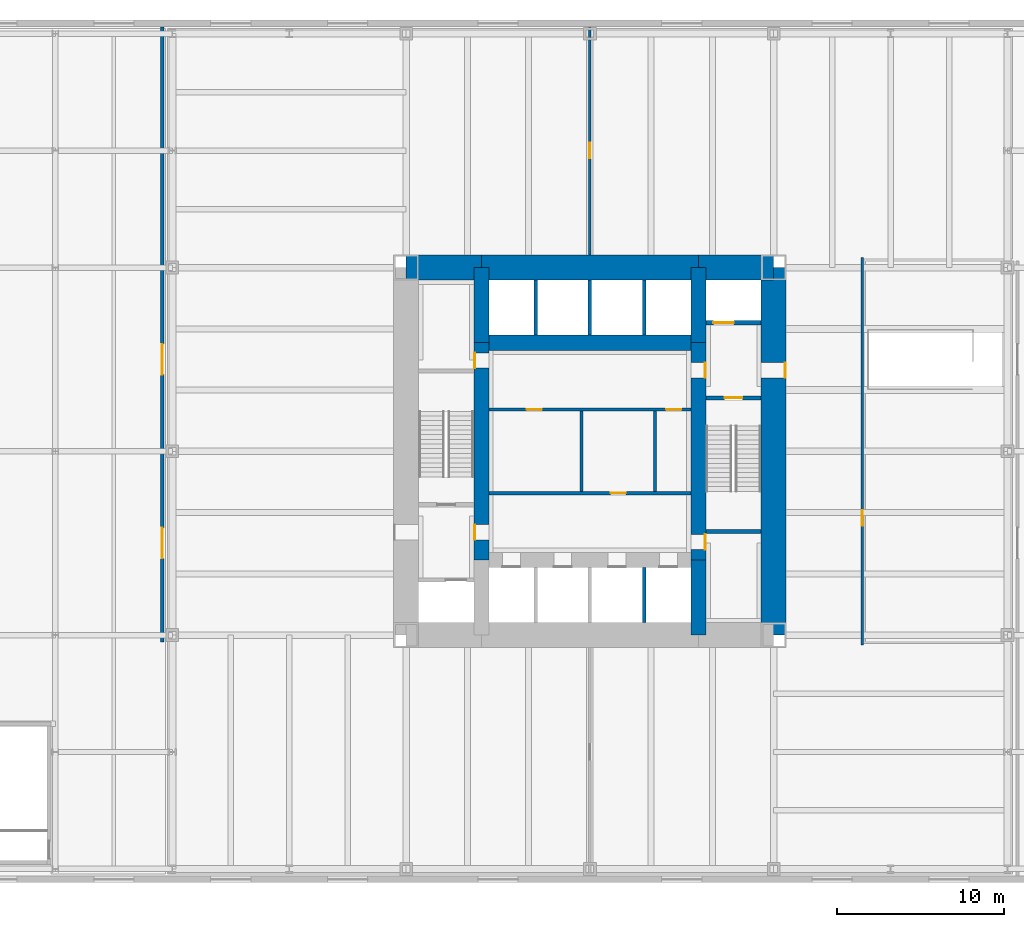
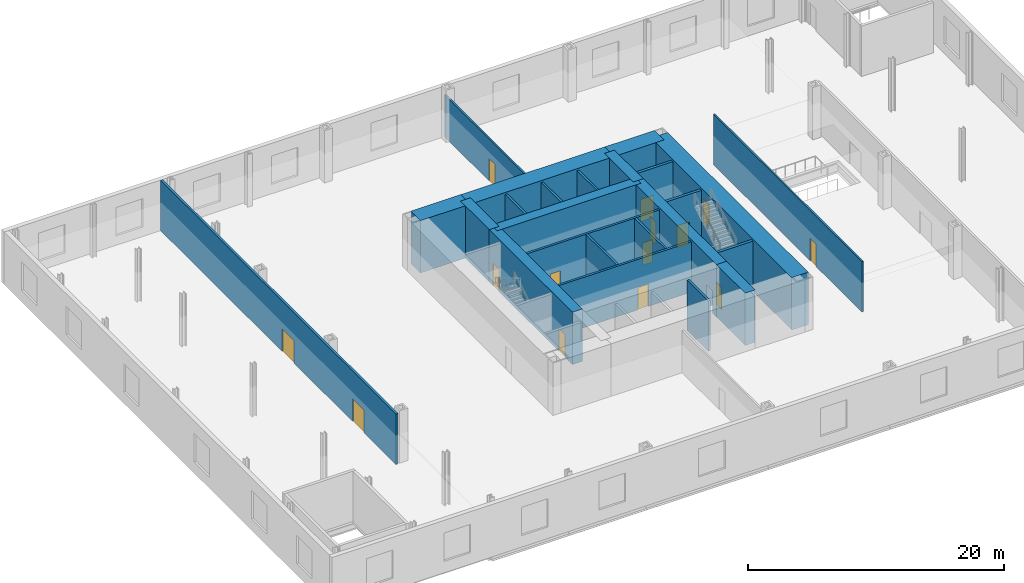
# One storey, part 9 of 12: 24 walls, 14 doors, 14 openings.
"""IFC4 building model written with IfcOpenShell, lengths in metres."""

from ifc_helpers import new_model, si_unit, direction, frame, frame_2d, origin, place, context, subcontext, project, spatial, rectangle, extrude, material, layer, layer_set, type_object, element, fill, save


model = new_model("IFC4")

# Units and contexts
model_context = context("Model", 3, precision=1e-05, world=origin(), true_north=direction((0.0, 1.0)))
body_context = subcontext(model_context, "Body", "Model", "MODEL_VIEW")
ifc_project = project(units=[si_unit("LENGTHUNIT", "METRE"), si_unit("AREAUNIT", "SQUARE_METRE"), si_unit("VOLUMEUNIT", "CUBIC_METRE"), si_unit("PLANEANGLEUNIT", "RADIAN"), si_unit("MASSUNIT", "GRAM", prefix="KILO")], contexts=[model_context])

# Site, building, storey
site_placement = place(None, origin())
site = spatial("IfcSite", under=ifc_project, at=site_placement, CompositionType="ELEMENT")
building_placement = place(site_placement, origin())
building = spatial("IfcBuilding", under=site, at=building_placement, Name="Trevanion Tower", CompositionType="ELEMENT")
storey_placement = place(building_placement, frame((0.0, 0.0, 11.0)))
storey = spatial("IfcBuildingStorey", under=building, at=storey_placement, Name="L02", CompositionType="ELEMENT", Elevation=11.0)

# Wall, opening, door
ifc_material_1 = material(Name="Concrete 10,000 psi", Category="concrete")
ifc_layer_1 = layer(ifc_material_1, 1.5)
ifc_layer_set_1 = layer_set([ifc_layer_1], Name="CW1 core wall 1500")
wall_type_1 = type_object("IfcWallType", Name="CW1 core wall 1500", PredefinedType="SHEAR", material=ifc_layer_set_1)
wall_1_placement = place(storey_placement, frame((11.0, -11.0, 0.0), z_axis=(0.0, 0.0, 1.0), x_axis=(0.0, 1.0, 0.0)))
wall_1 = element("IfcWall", 1, at=wall_1_placement, inside=storey, type_object=wall_type_1, Name="CW1 CE L02", PredefinedType="SHEAR", context=body_context, shape_type="SweptSolid", body=[
    extrude(rectangle(XDim=22.0, YDim=1.5, at=frame_2d((11.0, 0.0))), origin(), (0.0, 0.0, 1.0), 5.0),
])
opening_1_placement = place(wall_1_placement, frame((15.392578125, 0.0, 0.0)))
opening_1 = element("IfcOpeningElement", 2, at=opening_1_placement, cuts=wall_1, Name="Opening 02-001", PredefinedType="OPENING", context=body_context, shape_type="SweptSolid", body=[
    extrude(rectangle(XDim=0.9150390625, YDim=2.134033203125, at=frame_2d((0.45751953125, 1.06689453125))), frame((0.0, 0.760009765625, 0.0), z_axis=(0.0, -1.0, 0.0), x_axis=(1.0, 0.0, 0.0)), (0.0, 0.0, 1.0), 1.52001953125),
])
ifc_material_2 = material(Name="Hollow metal, fire rated", Category="steel")
door_type_1 = type_object("IfcDoorType", Name="D3 fire lift lobby door", OperationType="SINGLE_SWING_RIGHT", PredefinedType="DOOR", material=ifc_material_2)
door_1_placement = place(opening_1_placement, origin())
door_1 = element("IfcDoor", 3, at=door_1_placement, inside=storey, type_object=door_type_1, Name="Door 02-001", OperationType="SINGLE_SWING_RIGHT", OverallHeight=2.134033203125, OverallWidth=0.9150390625, PredefinedType="DOOR", context=body_context, shape_type="SweptSolid", body=[
    extrude(rectangle(XDim=0.9150390625, YDim=2.134033203125, at=frame_2d((0.45751953125, 1.06689453125))), frame((0.0, -0.6748046875, 0.0), z_axis=(0.0, -1.0, 0.0), x_axis=(1.0, 0.0, 0.0)), (0.0, 0.0, 1.0), 0.050048828125),
])
fill(opening_1, door_1)

# Walls
wall_2_placement = place(storey_placement, frame((11.0, 11.0, 0.0), z_axis=(0.0, 0.0, 1.0), x_axis=(-1.0, 0.0, 0.0)))
element("IfcWall", 4, at=wall_2_placement, inside=storey, type_object=wall_type_1, Name="CW1 CN1 L02", PredefinedType="SHEAR", context=body_context, shape_type="SweptSolid", body=[
    extrude(rectangle(XDim=4.5, YDim=1.5, at=frame_2d((2.25, 0.0))), origin(), (0.0, 0.0, 1.0), 5.0),
])
wall_3_placement = place(storey_placement, frame((6.5, 11.0, 0.0), z_axis=(0.0, 0.0, 1.0), x_axis=(-1.0, 0.0, 0.0)))
element("IfcWall", 5, at=wall_3_placement, inside=storey, type_object=wall_type_1, Name="CW1 CN2 L02", PredefinedType="SHEAR", context=body_context, shape_type="SweptSolid", body=[
    extrude(rectangle(XDim=13.0, YDim=1.5, at=frame_2d((6.5, 0.0))), origin(), (0.0, 0.0, 1.0), 5.0),
])
wall_4_placement = place(storey_placement, frame((-6.5, 11.0, 0.0), z_axis=(0.0, 0.0, 1.0), x_axis=(-1.0, 0.0, 0.0)))
element("IfcWall", 6, at=wall_4_placement, inside=storey, type_object=wall_type_1, Name="CW1 CN3 L02", PredefinedType="SHEAR", context=body_context, shape_type="SweptSolid", body=[
    extrude(rectangle(XDim=4.5, YDim=1.5, at=frame_2d((2.25, 0.0))), origin(), (0.0, 0.0, 1.0), 5.0),
])
ifc_material_3 = material(Name="Concrete 10,000 psi", Category="concrete")
ifc_layer_2 = layer(ifc_material_3, 0.89990234375)
ifc_layer_set_2 = layer_set([ifc_layer_2], Name="CW2 core wall 900")
wall_type_2 = type_object("IfcWallType", Name="CW2 core wall 900", PredefinedType="SHEAR", material=ifc_layer_set_2)
wall_5_placement = place(storey_placement, frame((6.5, -11.0, 0.0), z_axis=(0.0, 0.0, 1.0), x_axis=(0.0, 1.0, 0.0)))
element("IfcWall", 7, at=wall_5_placement, inside=storey, type_object=wall_type_2, Name="CW2 RE1 L02", PredefinedType="SHEAR", context=body_context, shape_type="SweptSolid", body=[
    extrude(rectangle(XDim=4.5, YDim=0.89990234375, at=frame_2d((2.25, 0.0))), origin(), (0.0, 0.0, 1.0), 5.0),
])

# Wall, openings, doors
wall_6_placement = place(storey_placement, frame((6.5, -6.5, 0.0), z_axis=(0.0, 0.0, 1.0), x_axis=(0.0, 1.0, 0.0)))
wall_6 = element("IfcWall", 8, at=wall_6_placement, inside=storey, type_object=wall_type_2, Name="CW2 RE2 L02", PredefinedType="SHEAR", context=body_context, shape_type="SweptSolid", body=[
    extrude(rectangle(XDim=13.0, YDim=0.89990234375, at=frame_2d((6.5, 0.0))), origin(), (0.0, 0.0, 1.0), 5.0),
])
opening_2_placement = place(wall_6_placement, frame((10.892578125, 0.0, 0.0)))
opening_2 = element("IfcOpeningElement", 9, at=opening_2_placement, cuts=wall_6, Name="Opening 02-003", PredefinedType="OPENING", context=body_context, shape_type="SweptSolid", body=[
    extrude(rectangle(XDim=0.9150390625, YDim=2.134033203125, at=frame_2d((0.45751953125, 1.06689453125))), frame((0.0, 0.4599609375, 0.0), z_axis=(0.0, -1.0, 0.0), x_axis=(1.0, 0.0, 0.0)), (0.0, 0.0, 1.0), 0.919921875),
])
opening_3_placement = place(wall_6_placement, frame((0.610107421875, 0.0, 0.0)))
opening_3 = element("IfcOpeningElement", 10, at=opening_3_placement, cuts=wall_6, Name="Opening 02-009", PredefinedType="OPENING", context=body_context, shape_type="SweptSolid", body=[
    extrude(rectangle(XDim=0.9150390625, YDim=2.134033203125, at=frame_2d((0.45751953125, 1.06689453125))), frame((0.0, 0.4599609375, 0.0), z_axis=(0.0, -1.0, 0.0), x_axis=(1.0, 0.0, 0.0)), (0.0, 0.0, 1.0), 0.919921875),
])
door_2_placement = place(opening_2_placement, origin())
door_2 = element("IfcDoor", 11, at=door_2_placement, inside=storey, type_object=door_type_1, Name="Door 02-003", OperationType="SINGLE_SWING_RIGHT", OverallHeight=2.134033203125, OverallWidth=0.9150390625, PredefinedType="DOOR", context=body_context, shape_type="SweptSolid", body=[
    extrude(rectangle(XDim=0.9150390625, YDim=2.134033203125, at=frame_2d((0.45751953125, 1.06689453125))), frame((0.0, -0.375, 0.0), z_axis=(0.0, -1.0, 0.0), x_axis=(1.0, 0.0, 0.0)), (0.0, 0.0, 1.0), 0.050048828125),
])
fill(opening_2, door_2)
ifc_material_4 = material(Name="Hollow metal, fire rated", Category="steel")
door_type_2 = type_object("IfcDoorType", Name="D5 service room door", OperationType="SINGLE_SWING_RIGHT", PredefinedType="DOOR", material=ifc_material_4)
door_3_placement = place(opening_3_placement, origin())
door_3 = element("IfcDoor", 12, at=door_3_placement, inside=storey, type_object=door_type_2, Name="Door 02-009", OperationType="SINGLE_SWING_RIGHT", OverallHeight=2.134033203125, OverallWidth=0.9150390625, PredefinedType="DOOR", context=body_context, shape_type="SweptSolid", body=[
    extrude(rectangle(XDim=0.9150390625, YDim=2.134033203125, at=frame_2d((0.45751953125, 1.06689453125))), frame((0.0, -0.375, 0.0), z_axis=(0.0, -1.0, 0.0), x_axis=(1.0, 0.0, 0.0)), (0.0, 0.0, 1.0), 0.050048828125),
])
fill(opening_3, door_3)

# Walls
for number, where, z_axis, x_axis, name in (
    (13, (6.5, 6.5, 0.0), (0.0, 0.0, 1.0), (0.0, 1.0, 0.0), "CW2 RE3 L02"),
    (14, (-6.5, 11.0, 0.0), (0.0, 0.0, 1.0), (0.0, -1.0, 0.0), "CW2 RW1 L02"),
):
    element("IfcWall", number, at=place(storey_placement, frame(where, z_axis=z_axis, x_axis=x_axis)), inside=storey, type_object=wall_type_2, Name=name, PredefinedType="SHEAR", context=body_context, shape_type="SweptSolid", body=[
        extrude(rectangle(XDim=4.5, YDim=0.89990234375, at=frame_2d((2.25, 0.0))), origin(), (0.0, 0.0, 1.0), 5.0),
    ])

# Wall, openings, doors
wall_7_placement = place(storey_placement, frame((-6.5, 6.5, 0.0), z_axis=(0.0, 0.0, 1.0), x_axis=(0.0, -1.0, 0.0)))
wall_7 = element("IfcWall", 15, at=wall_7_placement, inside=storey, type_object=wall_type_2, Name="CW2 RW2 L02", PredefinedType="SHEAR", context=body_context, shape_type="SweptSolid", body=[
    extrude(rectangle(XDim=13.0, YDim=0.89990234375, at=frame_2d((6.5, 0.0))), origin(), (0.0, 0.0, 1.0), 5.0),
])
opening_4_placement = place(wall_7_placement, frame((10.892578125, 0.0, 0.0)))
opening_4 = element("IfcOpeningElement", 16, at=opening_4_placement, cuts=wall_7, Name="Opening 02-004", PredefinedType="OPENING", context=body_context, shape_type="SweptSolid", body=[
    extrude(rectangle(XDim=0.9150390625, YDim=2.134033203125, at=frame_2d((0.45751953125, 1.06689453125))), frame((0.0, 0.4599609375, 0.0), z_axis=(0.0, -1.0, 0.0), x_axis=(1.0, 0.0, 0.0)), (0.0, 0.0, 1.0), 0.919921875),
])
opening_5_placement = place(wall_7_placement, frame((0.610107421875, 0.0, 0.0)))
opening_5 = element("IfcOpeningElement", 17, at=opening_5_placement, cuts=wall_7, Name="Opening 02-010", PredefinedType="OPENING", context=body_context, shape_type="SweptSolid", body=[
    extrude(rectangle(XDim=0.9150390625, YDim=2.134033203125, at=frame_2d((0.45751953125, 1.06689453125))), frame((0.0, 0.4599609375, 0.0), z_axis=(0.0, -1.0, 0.0), x_axis=(1.0, 0.0, 0.0)), (0.0, 0.0, 1.0), 0.919921875),
])
door_4_placement = place(opening_4_placement, origin())
door_4 = element("IfcDoor", 18, at=door_4_placement, inside=storey, type_object=door_type_1, Name="Door 02-004", OperationType="SINGLE_SWING_RIGHT", OverallHeight=2.134033203125, OverallWidth=0.9150390625, PredefinedType="DOOR", context=body_context, shape_type="SweptSolid", body=[
    extrude(rectangle(XDim=0.9150390625, YDim=2.134033203125, at=frame_2d((0.45751953125, 1.06689453125))), frame((0.0, -0.375, 0.0), z_axis=(0.0, -1.0, 0.0), x_axis=(1.0, 0.0, 0.0)), (0.0, 0.0, 1.0), 0.050048828125),
])
fill(opening_4, door_4)
door_5_placement = place(opening_5_placement, origin())
door_5 = element("IfcDoor", 19, at=door_5_placement, inside=storey, type_object=door_type_2, Name="Door 02-010", OperationType="SINGLE_SWING_RIGHT", OverallHeight=2.134033203125, OverallWidth=0.9150390625, PredefinedType="DOOR", context=body_context, shape_type="SweptSolid", body=[
    extrude(rectangle(XDim=0.9150390625, YDim=2.134033203125, at=frame_2d((0.45751953125, 1.06689453125))), frame((0.0, -0.375, 0.0), z_axis=(0.0, -1.0, 0.0), x_axis=(1.0, 0.0, 0.0)), (0.0, 0.0, 1.0), 0.050048828125),
])
fill(opening_5, door_5)

# Wall
wall_8_placement = place(storey_placement, frame((6.5, 6.5, 0.0), z_axis=(0.0, 0.0, 1.0), x_axis=(-1.0, 0.0, 0.0)))
element("IfcWall", 20, at=wall_8_placement, inside=storey, type_object=wall_type_2, Name="CW2 RN L02", PredefinedType="SHEAR", context=body_context, shape_type="SweptSolid", body=[
    extrude(rectangle(XDim=13.0, YDim=0.89990234375, at=frame_2d((6.5, 0.0))), origin(), (0.0, 0.0, 1.0), 5.0),
])

# Wall, opening, door
ifc_material_5 = material(Name="Gypsum board on steel studs", Category="steel")
ifc_layer_3 = layer(ifc_material_5, 0.14990234375)
ifc_layer_set_3 = layer_set([ifc_layer_3], Name="PT1 partition 150")
wall_type_3 = type_object("IfcWallType", Name="PT1 partition 150", PredefinedType="PARTITIONING", material=ifc_layer_set_3)
wall_9_placement = place(storey_placement, frame((16.300048828125, -11.60009765625, 0.0), z_axis=(0.0, 0.0, 1.0), x_axis=(0.0, 1.0, 0.0)))
wall_9 = element("IfcWall", 21, at=wall_9_placement, inside=storey, type_object=wall_type_3, Name="PT1 L02 FY1", PredefinedType="PARTITIONING", context=body_context, shape_type="SweptSolid", body=[
    extrude(rectangle(XDim=23.2001953125, YDim=0.14990234375, at=frame_2d((11.60009765625, 0.0))), origin(), (0.0, 0.0, 1.0), 4.81005859375),
])
opening_6_placement = place(wall_9_placement, frame((7.142578125, 0.0, 0.0)))
opening_6 = element("IfcOpeningElement", 22, at=opening_6_placement, cuts=wall_9, Name="Opening 02-024", PredefinedType="OPENING", context=body_context, shape_type="SweptSolid", body=[
    extrude(rectangle(XDim=0.9150390625, YDim=2.134033203125, at=frame_2d((0.45751953125, 1.06689453125))), frame((0.0, 0.0849609375, 0.0), z_axis=(0.0, -1.0, 0.0), x_axis=(1.0, 0.0, 0.0)), (0.0, 0.0, 1.0), 0.169921875),
])
ifc_material_6 = material(Name="Timber veneer, solid core", Category="wood")
door_type_3 = type_object("IfcDoorType", Name="D1 office and meeting room door", OperationType="SINGLE_SWING_LEFT", PredefinedType="DOOR", material=ifc_material_6)
door_6_placement = place(opening_6_placement, origin())
door_6 = element("IfcDoor", 23, at=door_6_placement, inside=storey, type_object=door_type_3, Name="Door 02-024", OperationType="SINGLE_SWING_LEFT", OverallHeight=2.134033203125, OverallWidth=0.9150390625, PredefinedType="DOOR", context=body_context, shape_type="SweptSolid", body=[
    extrude(rectangle(XDim=0.9150390625, YDim=2.134033203125, at=frame_2d((0.45751953125, 1.06689453125))), frame((0.0, 0.02490234375, 0.0), z_axis=(0.0, -1.0, 0.0), x_axis=(1.0, 0.0, 0.0)), (0.0, 0.0, 1.0), 0.050048828125),
])
fill(opening_6, door_6)

wall_10_placement = place(storey_placement, frame((0.0, 11.75, 0.0), z_axis=(0.0, 0.0, 1.0), x_axis=(0.0, 1.0, 0.0)))
wall_10 = element("IfcWall", 24, at=wall_10_placement, inside=storey, type_object=wall_type_3, Name="PT1 L02 XN", PredefinedType="PARTITIONING", context=body_context, shape_type="SweptSolid", body=[
    extrude(rectangle(XDim=13.659912109375, YDim=0.14990234375, at=frame_2d((6.830078125, 0.0))), origin(), (0.0, 0.0, 1.0), 4.00732421875),
])
opening_7_placement = place(wall_10_placement, frame((5.79248046875, 0.0, 0.0)))
opening_7 = element("IfcOpeningElement", 25, at=opening_7_placement, cuts=wall_10, Name="Opening 02-025", PredefinedType="OPENING", context=body_context, shape_type="SweptSolid", body=[
    extrude(rectangle(XDim=0.9150390625, YDim=2.134033203125, at=frame_2d((0.45751953125, 1.06689453125))), frame((0.0, 0.0849609375, 0.0), z_axis=(0.0, -1.0, 0.0), x_axis=(1.0, 0.0, 0.0)), (0.0, 0.0, 1.0), 0.169921875),
])
door_7_placement = place(opening_7_placement, origin())
door_7 = element("IfcDoor", 26, at=door_7_placement, inside=storey, type_object=door_type_3, Name="Door 02-025", OperationType="SINGLE_SWING_LEFT", OverallHeight=2.134033203125, OverallWidth=0.9150390625, PredefinedType="DOOR", context=body_context, shape_type="SweptSolid", body=[
    extrude(rectangle(XDim=0.9150390625, YDim=2.134033203125, at=frame_2d((0.45751953125, 1.06689453125))), frame((0.0, 0.02490234375, 0.0), z_axis=(0.0, -1.0, 0.0), x_axis=(1.0, 0.0, 0.0)), (0.0, 0.0, 1.0), 0.050048828125),
])
fill(opening_7, door_7)

# Walls
ifc_material_7 = material(Name="Concrete masonry, grouted", Category="masonry")
ifc_layer_4 = layer(ifc_material_7, 0.199951171875)
ifc_layer_set_4 = layer_set([ifc_layer_4], Name="PT2 partition 200")
wall_type_4 = type_object("IfcWallType", Name="PT2 partition 200", PredefinedType="PARTITIONING", material=ifc_layer_set_4)
for number, where, z_axis, x_axis, name in (
    (27, (-0.5, -2.39990234375, 0.0), (0.0, 0.0, 1.0), (0.0, 1.0, 0.0), "PT2 L02 TP1"),
    (28, (3.89990234375, -2.39990234375, 0.0), (0.0, 0.0, 1.0), (0.0, 1.0, 0.0), "PT2 L02 TP2"),
):
    element("IfcWall", number, at=place(storey_placement, frame(where, z_axis=z_axis, x_axis=x_axis)), inside=storey, type_object=wall_type_4, Name=name, PredefinedType="PARTITIONING", context=body_context, shape_type="SweptSolid", body=[
        extrude(rectangle(XDim=4.7998046875, YDim=0.199951171875, at=frame_2d((2.39990234375, 0.0))), origin(), (0.0, 0.0, 1.0), 4.81005859375),
    ])

# Wall, openings, doors
ifc_material_8 = material(Name="Concrete masonry, grouted", Category="masonry")
ifc_layer_5 = layer(ifc_material_8, 0.199951171875)
ifc_layer_set_5 = layer_set([ifc_layer_5], Name="PT2 partition 200 1 HR")
wall_type_5 = type_object("IfcWallType", Name="PT2 partition 200 1 HR", PredefinedType="PARTITIONING", material=ifc_layer_set_5)
wall_11_placement = place(storey_placement, frame((-6.050048828125, 2.5, 0.0), z_axis=(0.0, 0.0, 1.0), x_axis=(1.0, 0.0, 0.0)))
wall_11 = element("IfcWall", 29, at=wall_11_placement, inside=storey, type_object=wall_type_5, Name="PT2 L02 CP1", PredefinedType="PARTITIONING", context=body_context, shape_type="SweptSolid", body=[
    extrude(rectangle(XDim=12.10009765625, YDim=0.199951171875, at=frame_2d((6.050048828125, 0.0))), origin(), (0.0, 0.0, 1.0), 4.81005859375),
])
opening_8_placement = place(wall_11_placement, frame((2.267578125, 0.0, 0.0)))
opening_8 = element("IfcOpeningElement", 30, at=opening_8_placement, cuts=wall_11, Name="Opening 02-015", PredefinedType="OPENING", context=body_context, shape_type="SweptSolid", body=[
    extrude(rectangle(XDim=0.9150390625, YDim=2.134033203125, at=frame_2d((0.45751953125, 1.06689453125))), frame((0.0, 0.10986328125, 0.0), z_axis=(0.0, -1.0, 0.0), x_axis=(1.0, 0.0, 0.0)), (0.0, 0.0, 1.0), 0.219970703125),
])
opening_9_placement = place(wall_11_placement, frame((10.617431640625, 0.0, 0.0)))
opening_9 = element("IfcOpeningElement", 31, at=opening_9_placement, cuts=wall_11, Name="Opening 02-017", PredefinedType="OPENING", context=body_context, shape_type="SweptSolid", body=[
    extrude(rectangle(XDim=0.9150390625, YDim=2.134033203125, at=frame_2d((0.45751953125, 1.06689453125))), frame((0.0, 0.10986328125, 0.0), z_axis=(0.0, -1.0, 0.0), x_axis=(1.0, 0.0, 0.0)), (0.0, 0.0, 1.0), 0.219970703125),
])
ifc_material_9 = material(Name="Plastic laminate on fire-rated core", Category="wood")
door_type_4 = type_object("IfcDoorType", Name="D12 toilet door in a one hour wall", OperationType="SINGLE_SWING_LEFT", PredefinedType="DOOR", material=ifc_material_9)
door_8_placement = place(opening_8_placement, origin())
door_8 = element("IfcDoor", 32, at=door_8_placement, inside=storey, type_object=door_type_4, Name="Door 02-015", OperationType="SINGLE_SWING_LEFT", OverallHeight=2.134033203125, OverallWidth=0.9150390625, PredefinedType="DOOR", context=body_context, shape_type="SweptSolid", body=[
    extrude(rectangle(XDim=0.9150390625, YDim=2.134033203125, at=frame_2d((0.45751953125, 1.06689453125))), frame((0.0, 0.02490234375, 0.0), z_axis=(0.0, -1.0, 0.0), x_axis=(1.0, 0.0, 0.0)), (0.0, 0.0, 1.0), 0.050048828125),
])
fill(opening_8, door_8)
door_9_placement = place(opening_9_placement, origin())
door_9 = element("IfcDoor", 33, at=door_9_placement, inside=storey, type_object=door_type_4, Name="Door 02-017", OperationType="SINGLE_SWING_LEFT", OverallHeight=2.134033203125, OverallWidth=0.9150390625, PredefinedType="DOOR", context=body_context, shape_type="SweptSolid", body=[
    extrude(rectangle(XDim=0.9150390625, YDim=2.134033203125, at=frame_2d((0.45751953125, 1.06689453125))), frame((0.0, 0.02490234375, 0.0), z_axis=(0.0, -1.0, 0.0), x_axis=(1.0, 0.0, 0.0)), (0.0, 0.0, 1.0), 0.050048828125),
])
fill(opening_9, door_9)

# Wall, opening, door
wall_12_placement = place(storey_placement, frame((6.050048828125, -2.5, 0.0), z_axis=(0.0, 0.0, 1.0), x_axis=(-1.0, 0.0, 0.0)))
wall_12 = element("IfcWall", 34, at=wall_12_placement, inside=storey, type_object=wall_type_5, Name="PT2 L02 CP2", PredefinedType="PARTITIONING", context=body_context, shape_type="SweptSolid", body=[
    extrude(rectangle(XDim=12.10009765625, YDim=0.199951171875, at=frame_2d((6.050048828125, 0.0))), origin(), (0.0, 0.0, 1.0), 4.81005859375),
])
opening_10_placement = place(wall_12_placement, frame((3.892578125, 0.0, 0.0)))
opening_10 = element("IfcOpeningElement", 35, at=opening_10_placement, cuts=wall_12, Name="Opening 02-016", PredefinedType="OPENING", context=body_context, shape_type="SweptSolid", body=[
    extrude(rectangle(XDim=0.9150390625, YDim=2.134033203125, at=frame_2d((0.45751953125, 1.06689453125))), frame((0.0, 0.10986328125, 0.0), z_axis=(0.0, -1.0, 0.0), x_axis=(1.0, 0.0, 0.0)), (0.0, 0.0, 1.0), 0.219970703125),
])
door_10_placement = place(opening_10_placement, origin())
door_10 = element("IfcDoor", 36, at=door_10_placement, inside=storey, type_object=door_type_4, Name="Door 02-016", OperationType="SINGLE_SWING_LEFT", OverallHeight=2.134033203125, OverallWidth=0.9150390625, PredefinedType="DOOR", context=body_context, shape_type="SweptSolid", body=[
    extrude(rectangle(XDim=0.9150390625, YDim=2.134033203125, at=frame_2d((0.45751953125, 1.06689453125))), frame((0.0, 0.02490234375, 0.0), z_axis=(0.0, -1.0, 0.0), x_axis=(1.0, 0.0, 0.0)), (0.0, 0.0, 1.0), 0.050048828125),
])
fill(opening_10, door_10)

# Wall, openings, doors
wall_13_placement = place(storey_placement, frame((-25.60009765625, 25.409912109375, 0.0), z_axis=(0.0, 0.0, 1.0), x_axis=(0.0, -1.0, 0.0)))
wall_13 = element("IfcWall", 37, at=wall_13_placement, inside=storey, type_object=wall_type_5, Name="PT2 L02 WW1", PredefinedType="PARTITIONING", context=body_context, shape_type="SweptSolid", body=[
    extrude(rectangle(XDim=36.809814453125, YDim=0.199951171875, at=frame_2d((18.40478515625, 0.0))), origin(), (0.0, 0.0, 1.0), 4.81005859375),
])
opening_11_placement = place(wall_13_placement, frame((29.9951171875, 0.0, 0.0)))
opening_11 = element("IfcOpeningElement", 38, at=opening_11_placement, cuts=wall_13, Name="Opening 02-022", PredefinedType="OPENING", context=body_context, shape_type="SweptSolid", body=[
    extrude(rectangle(XDim=1.830078125, YDim=2.134033203125, at=frame_2d((0.9150390625, 1.06689453125))), frame((0.0, 0.10986328125, 0.0), z_axis=(0.0, -1.0, 0.0), x_axis=(1.0, 0.0, 0.0)), (0.0, 0.0, 1.0), 0.219970703125),
])
opening_12_placement = place(wall_13_placement, frame((18.9951171875, 0.0, 0.0)))
opening_12 = element("IfcOpeningElement", 39, at=opening_12_placement, cuts=wall_13, Name="Opening 02-023", PredefinedType="OPENING", context=body_context, shape_type="SweptSolid", body=[
    extrude(rectangle(XDim=1.830078125, YDim=2.134033203125, at=frame_2d((0.9150390625, 1.06689453125))), frame((0.0, 0.10986328125, 0.0), z_axis=(0.0, -1.0, 0.0), x_axis=(1.0, 0.0, 0.0)), (0.0, 0.0, 1.0), 0.219970703125),
])
ifc_material_10 = material(Name="Timber veneer, fire rated", Category="wood")
door_type_5 = type_object("IfcDoorType", Name="D8 wing double door", OperationType="DOUBLE_DOOR_DOUBLE_SWING", PredefinedType="DOOR", material=ifc_material_10)
door_11_placement = place(opening_11_placement, origin())
door_11 = element("IfcDoor", 40, at=door_11_placement, inside=storey, type_object=door_type_5, Name="Door 02-022", OperationType="DOUBLE_DOOR_DOUBLE_SWING", OverallHeight=2.134033203125, OverallWidth=1.830078125, PredefinedType="DOOR", context=body_context, shape_type="SweptSolid", body=[
    extrude(rectangle(XDim=1.830078125, YDim=2.134033203125, at=frame_2d((0.9150390625, 1.06689453125))), frame((0.0, 0.02490234375, 0.0), z_axis=(0.0, -1.0, 0.0), x_axis=(1.0, 0.0, 0.0)), (0.0, 0.0, 1.0), 0.050048828125),
])
fill(opening_11, door_11)
door_12_placement = place(opening_12_placement, origin())
door_12 = element("IfcDoor", 41, at=door_12_placement, inside=storey, type_object=door_type_5, Name="Door 02-023", OperationType="DOUBLE_DOOR_DOUBLE_SWING", OverallHeight=2.134033203125, OverallWidth=1.830078125, PredefinedType="DOOR", context=body_context, shape_type="SweptSolid", body=[
    extrude(rectangle(XDim=1.830078125, YDim=2.134033203125, at=frame_2d((0.9150390625, 1.06689453125))), frame((0.0, 0.02490234375, 0.0), z_axis=(0.0, -1.0, 0.0), x_axis=(1.0, 0.0, 0.0)), (0.0, 0.0, 1.0), 0.050048828125),
])
fill(opening_12, door_12)

# Walls
ifc_material_11 = material(Name="Concrete masonry, grouted", Category="masonry")
ifc_layer_6 = layer(ifc_material_11, 0.199951171875)
ifc_layer_set_6 = layer_set([ifc_layer_6], Name="PT2 partition 200 2 HR")
wall_type_6 = type_object("IfcWallType", Name="PT2 partition 200 2 HR", PredefinedType="PARTITIONING", material=ifc_layer_set_6)
for number, where, z_axis, x_axis, name in (
    (42, (-3.25, 6.949951171875, 0.0), (0.0, 0.0, 1.0), (0.0, 1.0, 0.0), "PT2 L02 NS0"),
    (43, (0.0, 6.949951171875, 0.0), (0.0, 0.0, 1.0), (0.0, 1.0, 0.0), "PT2 L02 NS1"),
    (44, (3.25, 6.949951171875, 0.0), (0.0, 0.0, 1.0), (0.0, 1.0, 0.0), "PT2 L02 NS2"),
    (45, (3.25, -10.25, 0.0), (0.0, 0.0, 1.0), (0.0, 1.0, 0.0), "PT2 L02 SS2"),
):
    element("IfcWall", number, at=place(storey_placement, frame(where, z_axis=z_axis, x_axis=x_axis)), inside=storey, type_object=wall_type_6, Name=name, PredefinedType="PARTITIONING", context=body_context, shape_type="SweptSolid", body=[
        extrude(rectangle(XDim=3.300048828125, YDim=0.199951171875, at=frame_2d((1.64990234375, 0.0))), origin(), (0.0, 0.0, 1.0), 4.81005859375),
    ])

# Wall, opening, door
ifc_material_12 = material(Name="Concrete masonry, grouted, two-hour", Category="masonry")
ifc_layer_7 = layer(ifc_material_12, 0.25)
ifc_layer_set_7 = layer_set([ifc_layer_7], Name="PT3 partition 250 2 HR")
wall_type_7 = type_object("IfcWallType", Name="PT3 partition 250 2 HR", PredefinedType="PARTITIONING", material=ifc_layer_set_7)
wall_14_placement = place(storey_placement, frame((6.949951171875, 7.699951171875, 0.0), z_axis=(0.0, 0.0, 1.0), x_axis=(1.0, 0.0, 0.0)))
wall_14 = element("IfcWall", 46, at=wall_14_placement, inside=storey, type_object=wall_type_7, Name="PT3 L02 EP3", PredefinedType="PARTITIONING", context=body_context, shape_type="SweptSolid", body=[
    extrude(rectangle(XDim=3.300048828125, YDim=0.25, at=frame_2d((1.64990234375, 0.0))), origin(), (0.0, 0.0, 1.0), 4.81005859375),
])
opening_13_placement = place(wall_14_placement, frame((0.449951171875, 0.0, 0.0)))
opening_13 = element("IfcOpeningElement", 47, at=opening_13_placement, cuts=wall_14, Name="Opening 02-007", PredefinedType="OPENING", context=body_context, shape_type="SweptSolid", body=[
    extrude(rectangle(XDim=1.218994140625, YDim=2.134033203125, at=frame_2d((0.609375, 1.06689453125))), frame((0.0, 0.135009765625, 0.0), z_axis=(0.0, -1.0, 0.0), x_axis=(1.0, 0.0, 0.0)), (0.0, 0.0, 1.0), 0.27001953125),
])
ifc_material_13 = material(Name="Stainless steel, fire rated", Category="steel")
door_type_6 = type_object("IfcDoorType", Name="LD2 fire service lift landing door", OperationType="SLIDING_TO_LEFT", PredefinedType="DOOR", material=ifc_material_13)
door_13_placement = place(opening_13_placement, origin())
door_13 = element("IfcDoor", 48, at=door_13_placement, inside=storey, type_object=door_type_6, Name="Door 02-007", OperationType="SLIDING_TO_LEFT", OverallHeight=2.134033203125, OverallWidth=1.218994140625, PredefinedType="DOOR", context=body_context, shape_type="SweptSolid", body=[
    extrude(rectangle(XDim=1.218994140625, YDim=2.134033203125, at=frame_2d((0.609375, 1.06689453125))), frame((0.0, 0.02490234375, 0.0), z_axis=(0.0, -1.0, 0.0), x_axis=(1.0, 0.0, 0.0)), (0.0, 0.0, 1.0), 0.050048828125),
])
fill(opening_13, door_13)

# Wall
ifc_material_14 = material(Name="Reinforced masonry, fully grouted", Category="masonry")
ifc_layer_8 = layer(ifc_material_14, 0.25)
ifc_layer_set_8 = layer_set([ifc_layer_8], Name="SW1 stair shaft wall 250")
wall_type_8 = type_object("IfcWallType", Name="SW1 stair shaft wall 250", PredefinedType="SOLIDWALL", material=ifc_layer_set_8)
wall_15_placement = place(storey_placement, frame((6.949951171875, -4.800048828125, 0.0), z_axis=(0.0, 0.0, 1.0), x_axis=(1.0, 0.0, 0.0)))
element("IfcWall", 49, at=wall_15_placement, inside=storey, type_object=wall_type_8, Name="SW1 L02 EP1", PredefinedType="SOLIDWALL", context=body_context, shape_type="SweptSolid", body=[
    extrude(rectangle(XDim=3.300048828125, YDim=0.25, at=frame_2d((1.64990234375, 0.0))), origin(), (0.0, 0.0, 1.0), 4.81005859375),
])

# Wall, opening, door
wall_16_placement = place(storey_placement, frame((6.949951171875, 3.199951171875, 0.0), z_axis=(0.0, 0.0, 1.0), x_axis=(1.0, 0.0, 0.0)))
wall_16 = element("IfcWall", 50, at=wall_16_placement, inside=storey, type_object=wall_type_8, Name="SW1 L02 EP2", PredefinedType="SOLIDWALL", context=body_context, shape_type="SweptSolid", body=[
    extrude(rectangle(XDim=3.300048828125, YDim=0.25, at=frame_2d((1.64990234375, 0.0))), origin(), (0.0, 0.0, 1.0), 4.81005859375),
])
opening_14_placement = place(wall_16_placement, frame((1.116455078125, 0.0, 0.0)))
opening_14 = element("IfcOpeningElement", 51, at=opening_14_placement, cuts=wall_16, Name="Opening 02-005", PredefinedType="OPENING", context=body_context, shape_type="SweptSolid", body=[
    extrude(rectangle(XDim=1.06689453125, YDim=2.134033203125, at=frame_2d((0.533447265625, 1.06689453125))), frame((0.0, 0.135009765625, 0.0), z_axis=(0.0, -1.0, 0.0), x_axis=(1.0, 0.0, 0.0)), (0.0, 0.0, 1.0), 0.27001953125),
])
ifc_material_15 = material(Name="Hollow metal, fire rated", Category="steel")
door_type_7 = type_object("IfcDoorType", Name="D2 exit stair door", OperationType="SINGLE_SWING_LEFT", PredefinedType="DOOR", material=ifc_material_15)
door_14_placement = place(opening_14_placement, origin())
door_14 = element("IfcDoor", 52, at=door_14_placement, inside=storey, type_object=door_type_7, Name="Door 02-005", OperationType="SINGLE_SWING_LEFT", OverallHeight=2.134033203125, OverallWidth=1.06689453125, PredefinedType="DOOR", context=body_context, shape_type="SweptSolid", body=[
    extrude(rectangle(XDim=1.06689453125, YDim=2.134033203125, at=frame_2d((0.533447265625, 1.06689453125))), frame((0.0, 0.02490234375, 0.0), z_axis=(0.0, -1.0, 0.0), x_axis=(1.0, 0.0, 0.0)), (0.0, 0.0, 1.0), 0.050048828125),
])
fill(opening_14, door_14)

save(model, "model.ifc")
